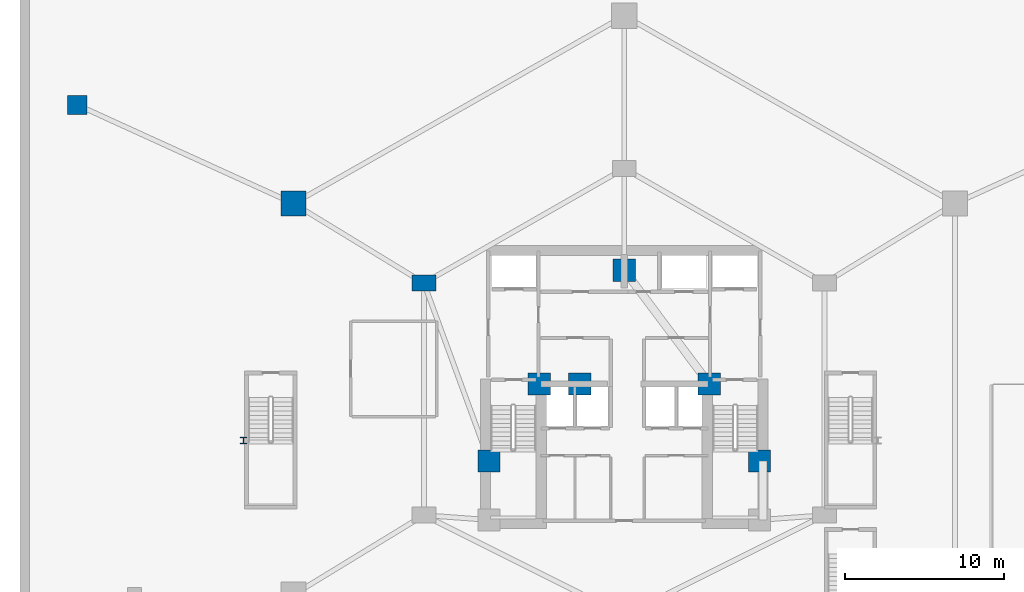
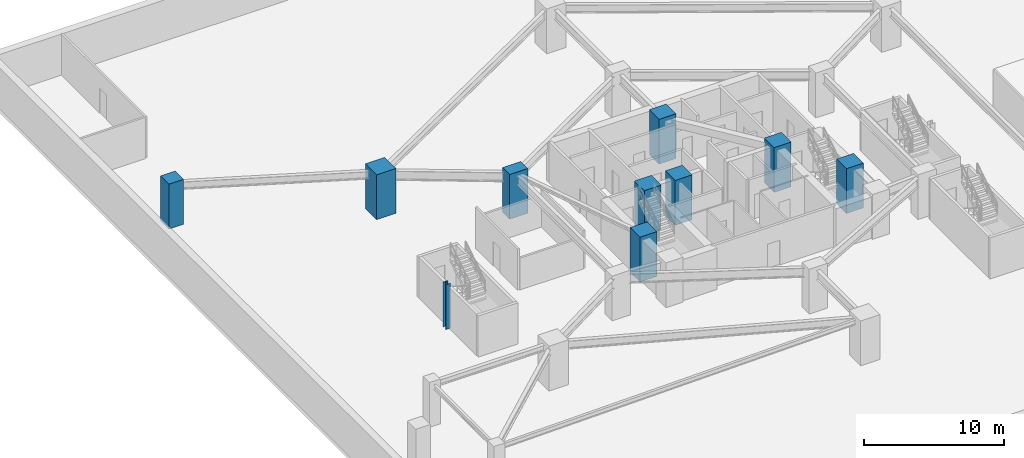
# One storey, part 2 of 12: 10 columns.
"""IFC4 building model written with IfcOpenShell, lengths in metres."""

from ifc_helpers import new_model, si_unit, direction, frame, origin, origin_2d, place, context, subcontext, project, spatial, rectangle, i_section, extrude, material, material_profile, profile_set, type_object, element, save


model = new_model("IFC4")

# Units and contexts
model_context = context("Model", 3, precision=1e-05, world=origin(), true_north=direction((0.0, 1.0)))
body_context = subcontext(model_context, "Body", "Model", "MODEL_VIEW")
ifc_project = project(units=[si_unit("LENGTHUNIT", "METRE"), si_unit("AREAUNIT", "SQUARE_METRE"), si_unit("VOLUMEUNIT", "CUBIC_METRE"), si_unit("PLANEANGLEUNIT", "RADIAN"), si_unit("MASSUNIT", "GRAM", prefix="KILO")], contexts=[model_context])

# Site, building, storey
site_placement = place(None, origin())
site = spatial("IfcSite", under=ifc_project, at=site_placement, CompositionType="ELEMENT")
building_placement = place(site_placement, origin())
building = spatial("IfcBuilding", under=site, at=building_placement, Name="Miruveldt Soraemaru", CompositionType="ELEMENT")
storey_placement = place(building_placement, frame((0.0, 0.0, -11.699951171875)))
storey = spatial("IfcBuildingStorey", under=building, at=storey_placement, Name="B3", CompositionType="ELEMENT", Elevation=-11.699951171875)

# Columns
ifc_material_1 = material(Name="Concrete C70/85 (70 MPa)", Category="concrete")
ifc_material_profile_1 = material_profile(ifc_material_1, rectangle(XDim=1.199951171875, YDim=1.199951171875, at=origin_2d()), Name="Concrete C70/85 (70 MPa)", Category="concrete")
ifc_profile_set_1 = profile_set([ifc_material_profile_1], Name="Concrete C70/85 (70 MPa)")
column_type_1 = type_object("IfcColumnType", Name="COL-CORE-1200", PredefinedType="COLUMN", material=ifc_profile_set_1)
column_1_placement = place(storey_placement, frame((9.60009765625, 61.60009765625, 0.0), z_axis=(0.0, 0.0, 1.0), x_axis=(1.0, 0.0, 0.0)))
element("IfcColumn", 1, at=column_1_placement, inside=storey, type_object=column_type_1, Name="B3 Structural Column BC2", PredefinedType="COLUMN", context=body_context, shape_type="SweptSolid", body=[
    extrude(rectangle(XDim=1.199951171875, YDim=1.199951171875, at=origin_2d()), origin(), (0.0, 0.0, 1.0), 3.89990234375),
])
ifc_material_2 = material(Name="Concrete C80/95 (80 MPa)", Category="concrete")
ifc_material_profile_2 = material_profile(ifc_material_2, rectangle(XDim=1.39990234375, YDim=1.39990234375, at=origin_2d()), Name="Concrete C80/95 (80 MPa)", Category="concrete")
ifc_profile_set_2 = profile_set([ifc_material_profile_2], Name="Concrete C80/95 (80 MPa)")
column_type_2 = type_object("IfcColumnType", Name="COL-MEGA-1400", PredefinedType="COLUMN", material=ifc_profile_set_2)
for number, where, z_axis, x_axis, name in (
    (2, (38.64990234375, 44.050048828125, 0.0), (0.0, 0.0, 1.0), (1.0, 0.0, 0.0), "B3 Structural Column CC2"),
    (3, (52.5, 39.199951171875, 0.0), (0.0, 0.0, 1.0), (1.0, 0.0, 0.0), "B3 Structural Column CC4"),
    (4, (49.35009765625, 44.050048828125, 0.0), (0.0, 0.0, 1.0), (1.0, 0.0, 0.0), "B3 Structural Column CC5"),
    (5, (44.0, 51.199951171875, 0.0), (0.0, 0.0, 1.0), (1.0, 0.0, 0.0), "B3 Structural Column CC6"),
    (6, (35.5, 39.199951171875, 0.0), (0.0, 0.0, 1.0), (1.0, 0.0, 0.0), "B3 Structural Column CC7"),
    (7, (41.199951171875, 44.050048828125, 0.0), (0.0, 0.0, 1.0), (1.0, 0.0, 0.0), "B3 Structural Column CC8"),
):
    element("IfcColumn", number, at=place(storey_placement, frame(where, z_axis=z_axis, x_axis=x_axis)), inside=storey, type_object=column_type_2, Name=name, PredefinedType="COLUMN", context=body_context, shape_type="SweptSolid", body=[
        extrude(rectangle(XDim=1.39990234375, YDim=1.39990234375, at=origin_2d()), origin(), (0.0, 0.0, 1.0), 3.89990234375),
    ])
ifc_material_profile_3 = material_profile(ifc_material_2, rectangle(XDim=1.60009765625, YDim=1.60009765625, at=origin_2d()), Name="Concrete C80/95 (80 MPa)", Category="concrete")
ifc_profile_set_3 = profile_set([ifc_material_profile_3], Name="Concrete C80/95 (80 MPa)")
column_type_3 = type_object("IfcColumnType", Name="COL-MEGA-1600", PredefinedType="COLUMN", material=ifc_profile_set_3)
column_2_placement = place(storey_placement, frame((23.199951171875, 55.39990234375, 0.0), z_axis=(0.0, 0.0, 1.0), x_axis=(1.0, 0.0, 0.0)))
element("IfcColumn", 8, at=column_2_placement, inside=storey, type_object=column_type_3, Name="B3 Structural Column PM06", PredefinedType="COLUMN", context=body_context, shape_type="SweptSolid", body=[
    extrude(rectangle(XDim=1.60009765625, YDim=1.60009765625, at=origin_2d()), origin(), (0.0, 0.0, 1.0), 3.89990234375),
])
ifc_material_3 = material(Name="Steel S460 (460 MPa)", Category="steel")
ifc_material_profile_4 = material_profile(ifc_material_3, i_section(OverallWidth=0.39990234375, OverallDepth=0.39990234375, WebThickness=0.012939453125, FlangeThickness=0.02099609375, FilletRadius=0.02197265625, at=origin_2d()), Name="Steel S460 (460 MPa)", Category="steel")
ifc_profile_set_4 = profile_set([ifc_material_profile_4], Name="Steel S460 (460 MPa)")
column_type_4 = type_object("IfcColumnType", Name="COL-PIL-400", PredefinedType="PILASTER", material=ifc_profile_set_4)
column_3_placement = place(storey_placement, frame((20.050048828125, 40.5, 0.0), z_axis=(0.0, 0.0, 1.0), x_axis=(1.0, 0.0, 0.0)))
element("IfcColumn", 9, at=column_3_placement, inside=storey, type_object=column_type_4, Name="B3 Structural Column PIL1", PredefinedType="PILASTER", context=body_context, shape_type="SweptSolid", body=[
    extrude(i_section(OverallWidth=0.39990234375, OverallDepth=0.39990234375, WebThickness=0.012939453125, FlangeThickness=0.02099609375, FilletRadius=0.02197265625, at=origin_2d()), origin(), (0.0, 0.0, 1.0), 3.89990234375),
])
ifc_material_profile_5 = material_profile(ifc_material_2, rectangle(XDim=1.5, YDim=1.0, at=origin_2d()), Name="Concrete C80/95 (80 MPa)", Category="concrete")
ifc_profile_set_5 = profile_set([ifc_material_profile_5], Name="Concrete C80/95 (80 MPa)")
column_type_5 = type_object("IfcColumnType", Name="COL-TW-Z1A", PredefinedType="COLUMN", material=ifc_profile_set_5)
column_4_placement = place(storey_placement, frame((31.39990234375, 50.39990234375, 0.0), z_axis=(0.0, 0.0, 1.0), x_axis=(1.0, 0.0, 0.0)))
element("IfcColumn", 10, at=column_4_placement, inside=storey, type_object=column_type_5, Name="B3 Structural Column IR06", PredefinedType="COLUMN", context=body_context, shape_type="SweptSolid", body=[
    extrude(rectangle(XDim=1.5, YDim=1.0, at=origin_2d()), origin(), (0.0, 0.0, 1.0), 3.89990234375),
])

save(model, "model.ifc")
